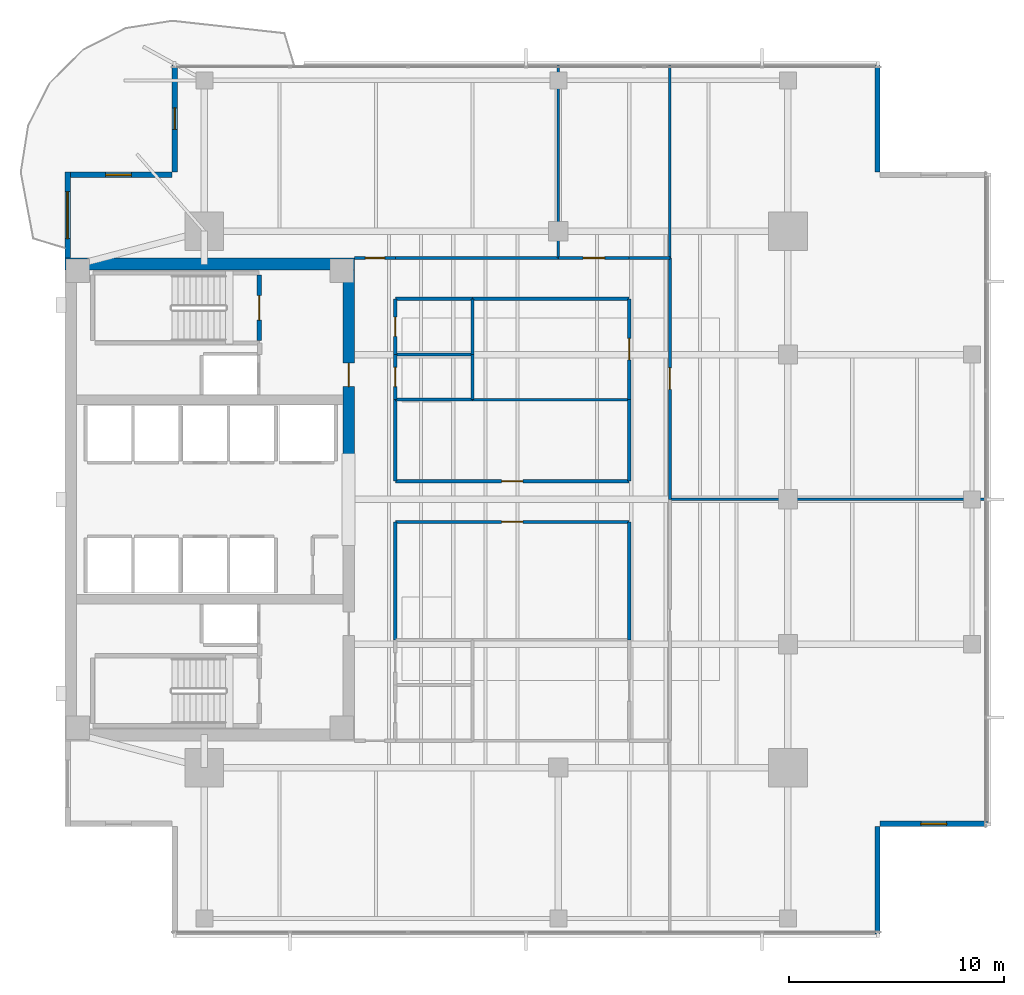
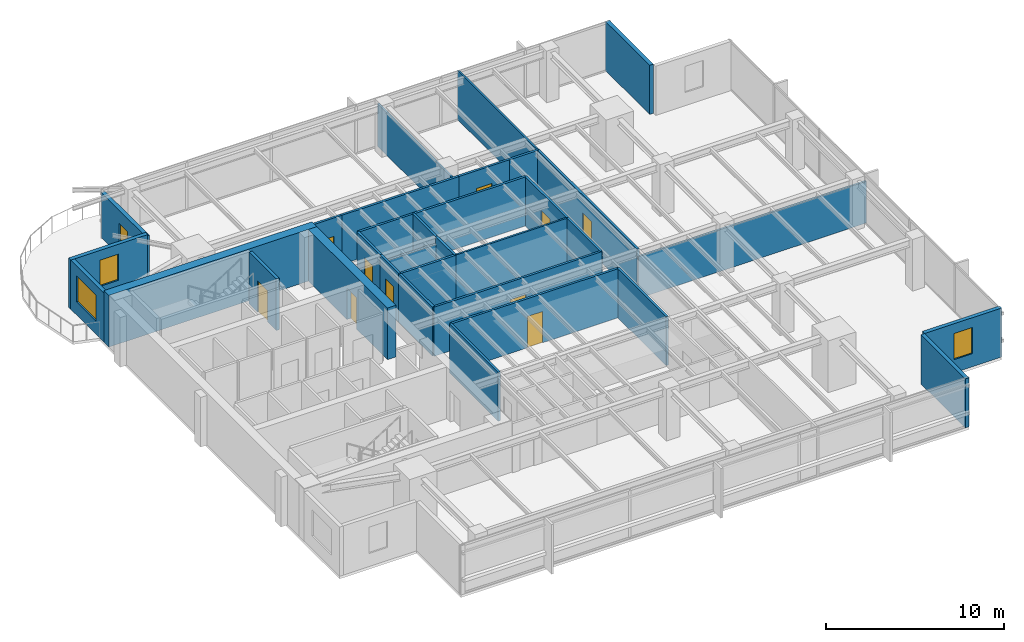
# One storey, part 9 of 14: 33 walls, 11 doors, 3 windows, 14 openings.
"""IFC4 building model written with IfcOpenShell, lengths in metres."""

from ifc_helpers import new_model, si_unit, direction, frame, frame_2d, origin, place, context, subcontext, project, spatial, rectangle, extrude, material, layer, layer_set, type_object, element, fill, save


model = new_model("IFC4")

# Units and contexts
model_context = context("Model", 3, precision=1e-05, world=origin(), true_north=direction((0.0, 1.0)))
body_context = subcontext(model_context, "Body", "Model", "MODEL_VIEW")
ifc_project = project(units=[si_unit("LENGTHUNIT", "METRE"), si_unit("AREAUNIT", "SQUARE_METRE"), si_unit("VOLUMEUNIT", "CUBIC_METRE"), si_unit("PLANEANGLEUNIT", "RADIAN"), si_unit("MASSUNIT", "GRAM", prefix="KILO")], contexts=[model_context])

# Site, building, storey
site_placement = place(None, origin())
site = spatial("IfcSite", under=ifc_project, at=site_placement, CompositionType="ELEMENT")
building_placement = place(site_placement, origin())
building = spatial("IfcBuilding", under=site, at=building_placement, Name="Kinhvarn Gate Tower", CompositionType="ELEMENT")
storey_placement = place(building_placement, frame((0.0, 0.0, 188.050048828125)))
storey = spatial("IfcBuildingStorey", under=building, at=storey_placement, Name="L49", CompositionType="ELEMENT", Elevation=188.050048828125)

# Wall
ifc_material_1 = material(Name="Concrete C60/75", Category="concrete")
ifc_layer_1 = layer(ifc_material_1, 0.550048828125)
ifc_layer_set_1 = layer_set([ifc_layer_1], Name="Concrete C60/75")
wall_type_1 = type_object("IfcWallType", Name="WL-CORE-550", PredefinedType="SHEAR", material=ifc_layer_set_1)
wall_1_placement = place(storey_placement, frame((4.5, 36.22509765625, 0.0), z_axis=(0.0, 0.0, 1.0), x_axis=(1.0, 0.0, 0.0)))
element("IfcWall", 1, at=wall_1_placement, inside=storey, type_object=wall_type_1, Name="Core North Shear Wall L49 550 mm", PredefinedType="SHEAR", context=body_context, shape_type="SweptSolid", body=[
    extrude(rectangle(XDim=13.5, YDim=0.550048828125, at=frame_2d((6.75, 0.0))), origin(), (0.0, 0.0, 1.0), 3.550048828125),
])

# Wall, opening, door
wall_2_placement = place(storey_placement, frame((17.72509765625, 27.050048828125, 0.0), z_axis=(0.0, 0.0, 1.0), x_axis=(0.0, 1.0, 0.0)))
wall_2 = element("IfcWall", 2, at=wall_2_placement, inside=storey, type_object=wall_type_1, Name="Core East-North Shear Pier L49 550 mm", PredefinedType="SHEAR", context=body_context, shape_type="SweptSolid", body=[
    extrude(rectangle(XDim=8.89990234375, YDim=0.550048828125, at=frame_2d((4.449951171875, 0.0))), origin(), (0.0, 0.0, 1.0), 3.550048828125),
])
opening_1_placement = place(wall_2_placement, frame((3.449951171875, 0.0, 0.0)))
opening_1 = element("IfcOpeningElement", 3, at=opening_1_placement, cuts=wall_2, Name="Opening FD-02", PredefinedType="OPENING", context=body_context, shape_type="SweptSolid", body=[
    extrude(rectangle(XDim=1.10009765625, YDim=2.14990234375, at=frame_2d((0.550048828125, 1.074951171875))), frame((0.0, 0.28515625, 0.0), z_axis=(0.0, -1.0, 0.0), x_axis=(1.0, 0.0, 0.0)), (0.0, 0.0, 1.0), 0.570068359375),
])
ifc_material_2 = material(Name="Anodised aluminium AW-6063", Category="aluminium")
door_type_1 = type_object("IfcDoorType", Name="DR-FD-1100", OperationType="NOTDEFINED", PredefinedType="DOOR", material=ifc_material_2)
door_1_placement = place(opening_1_placement, origin())
door_1 = element("IfcDoor", 4, at=door_1_placement, inside=storey, type_object=door_type_1, Name="Firefighting Lobby Core Door (L49)", OperationType="SINGLE_SWING_LEFT", OverallHeight=2.14990234375, OverallWidth=1.10009765625, PredefinedType="DOOR", context=body_context, shape_type="SweptSolid", body=[
    extrude(rectangle(XDim=1.10009765625, YDim=2.14990234375, at=frame_2d((0.550048828125, 1.074951171875))), frame((0.0, 0.02490234375, 0.0), z_axis=(0.0, -1.0, 0.0), x_axis=(1.0, 0.0, 0.0)), (0.0, 0.0, 1.0), 0.050048828125),
])
fill(opening_1, door_1)

# Wall, opening, window
ifc_material_3 = material(Name="Fired architectural terracotta", Category="masonry")
ifc_layer_2 = layer(ifc_material_3, 0.25)
ifc_layer_set_2 = layer_set([ifc_layer_2], Name="Fired architectural terracotta")
wall_type_2 = type_object("IfcWallType", Name="WL-EXT-250", PredefinedType="SOLIDWALL", material=ifc_layer_set_2)
wall_3_placement = place(storey_placement, frame((4.625, 40.5, 0.0), z_axis=(0.0, 0.0, 1.0), x_axis=(0.0, -1.0, 0.0)))
wall_3 = element("IfcWall", 5, at=wall_3_placement, inside=storey, type_object=wall_type_2, Name="Exterior Solidwall Wall EW-250 (L49 West-North)", PredefinedType="SOLIDWALL", context=body_context, shape_type="SweptSolid", body=[
    extrude(rectangle(XDim=4.0, YDim=0.25, at=frame_2d((2.0, 0.0))), origin(), (0.0, 0.0, 1.0), 3.369873046875),
])
opening_2_placement = place(wall_3_placement, frame((0.89990234375, 0.0, 0.89990234375)))
opening_2 = element("IfcOpeningElement", 6, at=opening_2_placement, cuts=wall_3, Name="Opening WN-01", PredefinedType="OPENING", context=body_context, shape_type="SweptSolid", body=[
    extrude(rectangle(XDim=2.199951171875, YDim=1.800048828125, at=frame_2d((1.10009765625, 0.89990234375))), frame((0.0, 0.135009765625, 0.0), z_axis=(0.0, -1.0, 0.0), x_axis=(1.0, 0.0, 0.0)), (0.0, 0.0, 1.0), 0.27001953125),
])
ifc_material_4 = material(Name="Clear low-e double glazing", Category="glass")
window_type_1 = type_object("IfcWindowType", Name="WIN-RIB-2200", PartitioningType="SINGLE_PANEL", PredefinedType="WINDOW", material=ifc_material_4)
window_1_placement = place(opening_2_placement, origin())
window_1 = element("IfcWindow", 7, at=window_1_placement, inside=storey, type_object=window_type_1, Name="West Flank Double-Glazed Ribbon Window 2200x1800 mm (L49)", OverallHeight=1.800048828125, OverallWidth=2.199951171875, PartitioningType="SINGLE_PANEL", PredefinedType="WINDOW", context=body_context, shape_type="SweptSolid", body=[
    extrude(rectangle(XDim=2.199951171875, YDim=1.800048828125, at=frame_2d((1.10009765625, 0.89990234375))), frame((0.0, 0.030029296875, 0.0), z_axis=(0.0, -1.0, 0.0), x_axis=(1.0, 0.0, 0.0)), (0.0, 0.0, 1.0), 0.06005859375),
])
fill(opening_2, window_1)

# Wall
wall_4_placement = place(storey_placement, frame((42.375, 5.0, 0.0), z_axis=(0.0, 0.0, 1.0), x_axis=(0.0, 1.0, 0.0)))
element("IfcWall", 8, at=wall_4_placement, inside=storey, type_object=wall_type_2, Name="Exterior Solidwall Wall EW-250 (L49 SE-Notch-1)", PredefinedType="SOLIDWALL", context=body_context, shape_type="SweptSolid", body=[
    extrude(rectangle(XDim=5.0, YDim=0.25, at=frame_2d((2.5, 0.0))), origin(), (0.0, 0.0, 1.0), 3.369873046875),
])

# Wall, opening, window
wall_5_placement = place(storey_placement, frame((42.5, 10.125, 0.0), z_axis=(0.0, 0.0, 1.0), x_axis=(1.0, 0.0, 0.0)))
wall_5 = element("IfcWall", 9, at=wall_5_placement, inside=storey, type_object=wall_type_2, Name="Exterior Solidwall Wall EW-250 (L49 SE-Notch-2)", PredefinedType="SOLIDWALL", context=body_context, shape_type="SweptSolid", body=[
    extrude(rectangle(XDim=5.0, YDim=0.25, at=frame_2d((2.5, 0.0))), origin(), (0.0, 0.0, 1.0), 3.369873046875),
])
opening_3_placement = place(wall_5_placement, frame((1.89990234375, 0.0, 0.89990234375)))
opening_3 = element("IfcOpeningElement", 10, at=opening_3_placement, cuts=wall_5, Name="Opening WN-02", PredefinedType="OPENING", context=body_context, shape_type="SweptSolid", body=[
    extrude(rectangle(XDim=1.199951171875, YDim=1.800048828125, at=frame_2d((0.60009765625, 0.89990234375))), frame((0.0, 0.135009765625, 0.0), z_axis=(0.0, -1.0, 0.0), x_axis=(1.0, 0.0, 0.0)), (0.0, 0.0, 1.0), 0.27001953125),
])
window_type_2 = type_object("IfcWindowType", Name="WIN-NTC-1200", PartitioningType="SINGLE_PANEL", PredefinedType="WINDOW", material=ifc_material_4)
window_2_placement = place(opening_3_placement, origin())
window_2 = element("IfcWindow", 11, at=window_2_placement, inside=storey, type_object=window_type_2, Name="Recessed Corner Notch Punched Window 1200x1800 mm (L49)", OverallHeight=1.800048828125, OverallWidth=1.199951171875, PartitioningType="SINGLE_PANEL", PredefinedType="WINDOW", context=body_context, shape_type="SweptSolid", body=[
    extrude(rectangle(XDim=1.199951171875, YDim=1.800048828125, at=frame_2d((0.60009765625, 0.89990234375))), frame((0.0, 0.030029296875, 0.0), z_axis=(0.0, -1.0, 0.0), x_axis=(1.0, 0.0, 0.0)), (0.0, 0.0, 1.0), 0.06005859375),
])
fill(opening_3, window_2)

# Wall
wall_6_placement = place(storey_placement, frame((42.375, 40.5, 0.0), z_axis=(0.0, 0.0, 1.0), x_axis=(0.0, 1.0, 0.0)))
element("IfcWall", 12, at=wall_6_placement, inside=storey, type_object=wall_type_2, Name="Exterior Solidwall Wall EW-250 (L49 NE-Notch-2)", PredefinedType="SOLIDWALL", context=body_context, shape_type="SweptSolid", body=[
    extrude(rectangle(XDim=5.0, YDim=0.25, at=frame_2d((2.5, 0.0))), origin(), (0.0, 0.0, 1.0), 3.369873046875),
])

# Wall, opening, door
wall_7_placement = place(storey_placement, frame((9.625, 45.5, 0.0), z_axis=(0.0, 0.0, 1.0), x_axis=(0.0, -1.0, 0.0)))
wall_7 = element("IfcWall", 13, at=wall_7_placement, inside=storey, type_object=wall_type_2, Name="Exterior Solidwall Wall EW-250 (L49 NW-Notch-Door)", PredefinedType="SOLIDWALL", context=body_context, shape_type="SweptSolid", body=[
    extrude(rectangle(XDim=5.0, YDim=0.25, at=frame_2d((2.5, 0.0))), origin(), (0.0, 0.0, 1.0), 3.099853515625),
])
opening_4_placement = place(wall_7_placement, frame((2.0, 0.0, 0.0)))
opening_4 = element("IfcOpeningElement", 14, at=opening_4_placement, cuts=wall_7, Name="Opening BD-01", PredefinedType="OPENING", context=body_context, shape_type="SweptSolid", body=[
    extrude(rectangle(XDim=1.0, YDim=2.199951171875, at=frame_2d((0.5, 1.10009765625))), frame((0.0, 0.135009765625, 0.0), z_axis=(0.0, -1.0, 0.0), x_axis=(1.0, 0.0, 0.0)), (0.0, 0.0, 1.0), 0.27001953125),
])
door_type_2 = type_object("IfcDoorType", Name="DR-BAL-1000", OperationType="NOTDEFINED", PredefinedType="DOOR", material=ifc_material_4)
door_2_placement = place(opening_4_placement, frame((1.0, 0.0, 0.0), z_axis=(0.0, 0.0, 1.0), x_axis=(-1.0, 0.0, 0.0)))
door_2 = element("IfcDoor", 15, at=door_2_placement, inside=storey, type_object=door_type_2, Name="S-Carve Balcony Door BD-01 (L49)", OperationType="SINGLE_SWING_RIGHT", OverallHeight=2.199951171875, OverallWidth=1.0, PredefinedType="DOOR", context=body_context, shape_type="SweptSolid", body=[
    extrude(rectangle(XDim=1.0, YDim=2.199951171875, at=frame_2d((0.5, 1.10009765625))), frame((0.0, 0.02490234375, 0.0), z_axis=(0.0, -1.0, 0.0), x_axis=(1.0, 0.0, 0.0)), (0.0, 0.0, 1.0), 0.050048828125),
])
fill(opening_4, door_2)

# Wall, opening, window
wall_8_placement = place(storey_placement, frame((9.5, 40.375, 0.0), z_axis=(0.0, 0.0, 1.0), x_axis=(-1.0, 0.0, 0.0)))
wall_8 = element("IfcWall", 16, at=wall_8_placement, inside=storey, type_object=wall_type_2, Name="Exterior Solidwall Wall EW-250 (L49 NW-Notch-Win)", PredefinedType="SOLIDWALL", context=body_context, shape_type="SweptSolid", body=[
    extrude(rectangle(XDim=5.0, YDim=0.25, at=frame_2d((2.5, 0.0))), origin(), (0.0, 0.0, 1.0), 3.369873046875),
])
opening_5_placement = place(wall_8_placement, frame((1.89990234375, 0.0, 0.89990234375)))
opening_5 = element("IfcOpeningElement", 17, at=opening_5_placement, cuts=wall_8, Name="Opening WN-02", PredefinedType="OPENING", context=body_context, shape_type="SweptSolid", body=[
    extrude(rectangle(XDim=1.199951171875, YDim=1.800048828125, at=frame_2d((0.60009765625, 0.89990234375))), frame((0.0, 0.135009765625, 0.0), z_axis=(0.0, -1.0, 0.0), x_axis=(1.0, 0.0, 0.0)), (0.0, 0.0, 1.0), 0.27001953125),
])
window_3_placement = place(opening_5_placement, origin())
window_3 = element("IfcWindow", 18, at=window_3_placement, inside=storey, type_object=window_type_2, Name="Recessed Corner Notch Punched Window 1200x1800 mm (L49)", OverallHeight=1.800048828125, OverallWidth=1.199951171875, PartitioningType="SINGLE_PANEL", PredefinedType="WINDOW", context=body_context, shape_type="SweptSolid", body=[
    extrude(rectangle(XDim=1.199951171875, YDim=1.800048828125, at=frame_2d((0.60009765625, 0.89990234375))), frame((0.0, 0.030029296875, 0.0), z_axis=(0.0, -1.0, 0.0), x_axis=(1.0, 0.0, 0.0)), (0.0, 0.0, 1.0), 0.06005859375),
])
fill(opening_5, window_3)

# Walls
ifc_material_5 = material(Name="Gypsum acoustic partition board")
ifc_layer_3 = layer(ifc_material_5, 0.14990234375)
ifc_layer_set_3 = layer_set([ifc_layer_3], Name="Gypsum acoustic partition board")
wall_type_3 = type_object("IfcWallType", Name="WL-PLM-150", PredefinedType="PLUMBINGWALL", material=ifc_layer_set_3)
wall_9_placement = place(storey_placement, frame((19.89990234375, 32.0, 0.0), z_axis=(0.0, 0.0, 1.0), x_axis=(1.0, 0.0, 0.0)))
element("IfcWall", 19, at=wall_9_placement, inside=storey, type_object=wall_type_3, Name="Interior Partition PLW-150 (L49)", PredefinedType="PLUMBINGWALL", context=body_context, shape_type="SweptSolid", body=[
    extrude(rectangle(XDim=3.60009765625, YDim=0.14990234375, at=frame_2d((1.800048828125, 0.0))), origin(), (0.0, 0.0, 1.0), 2.869873046875),
])
wall_10_placement = place(storey_placement, frame((23.5, 32.0, 0.0), z_axis=(0.0, 0.0, 1.0), x_axis=(0.0, 1.0, 0.0)))
element("IfcWall", 20, at=wall_10_placement, inside=storey, type_object=wall_type_3, Name="Interior Partition PLW-150 (L49)", PredefinedType="PLUMBINGWALL", context=body_context, shape_type="SweptSolid", body=[
    extrude(rectangle(XDim=2.60009765625, YDim=0.14990234375, at=frame_2d((1.300048828125, 0.0))), origin(), (0.0, 0.0, 1.0), 3.369873046875),
])
wall_11_placement = place(storey_placement, frame((23.5, 29.89990234375, 0.0), z_axis=(0.0, 0.0, 1.0), x_axis=(0.0, 1.0, 0.0)))
element("IfcWall", 21, at=wall_11_placement, inside=storey, type_object=wall_type_3, Name="Interior Partition PLW-150 (L49)", PredefinedType="PLUMBINGWALL", context=body_context, shape_type="SweptSolid", body=[
    extrude(rectangle(XDim=2.10009765625, YDim=0.14990234375, at=frame_2d((1.050048828125, 0.0))), origin(), (0.0, 0.0, 1.0), 3.369873046875),
])
wall_12_placement = place(storey_placement, frame((19.89990234375, 29.89990234375, 0.0), z_axis=(0.0, 0.0, 1.0), x_axis=(1.0, 0.0, 0.0)))
element("IfcWall", 22, at=wall_12_placement, inside=storey, type_object=wall_type_3, Name="Interior Partition PLW-150 (L49)", PredefinedType="PLUMBINGWALL", context=body_context, shape_type="SweptSolid", body=[
    extrude(rectangle(XDim=3.60009765625, YDim=0.14990234375, at=frame_2d((1.800048828125, 0.0))), origin(), (0.0, 0.0, 1.0), 3.369873046875),
])

# Wall, opening, door
ifc_layer_4 = layer(ifc_material_5, 0.14990234375)
ifc_layer_set_4 = layer_set([ifc_layer_4], Name="Gypsum acoustic partition board")
wall_type_4 = type_object("IfcWallType", Name="WL-PLM-150F", PredefinedType="PLUMBINGWALL", material=ifc_layer_set_4)
wall_13_placement = place(storey_placement, frame((19.89990234375, 32.0, 0.0), z_axis=(0.0, 0.0, 1.0), x_axis=(0.0, 1.0, 0.0)))
wall_13 = element("IfcWall", 23, at=wall_13_placement, inside=storey, type_object=wall_type_4, Name="Interior Partition PLW-150F (L49)", PredefinedType="PLUMBINGWALL", context=body_context, shape_type="SweptSolid", body=[
    extrude(rectangle(XDim=2.60009765625, YDim=0.14990234375, at=frame_2d((1.300048828125, 0.0))), origin(), (0.0, 0.0, 1.0), 3.369873046875),
])
opening_6_placement = place(wall_13_placement, frame((0.85009765625, 0.0, 0.0)))
opening_6 = element("IfcOpeningElement", 24, at=opening_6_placement, cuts=wall_13, Name="Opening FD-04", PredefinedType="OPENING", context=body_context, shape_type="SweptSolid", body=[
    extrude(rectangle(XDim=0.89990234375, YDim=2.10009765625, at=frame_2d((0.449951171875, 1.050048828125))), frame((0.0, 0.0849609375, 0.0), z_axis=(0.0, -1.0, 0.0), x_axis=(1.0, 0.0, 0.0)), (0.0, 0.0, 1.0), 0.169921875),
])
door_type_3 = type_object("IfcDoorType", Name="DR-FD-900", OperationType="NOTDEFINED", PredefinedType="DOOR", material=ifc_material_2)
door_3_placement = place(opening_6_placement, origin())
door_3 = element("IfcDoor", 25, at=door_3_placement, inside=storey, type_object=door_type_3, Name="Rated Riser & Service Closet Fire Door 900x2100 mm (L49)", OperationType="SINGLE_SWING_LEFT", OverallHeight=2.10009765625, OverallWidth=0.89990234375, PredefinedType="DOOR", context=body_context, shape_type="SweptSolid", body=[
    extrude(rectangle(XDim=0.89990234375, YDim=2.10009765625, at=frame_2d((0.449951171875, 1.050048828125))), frame((0.0, 0.02490234375, 0.0), z_axis=(0.0, -1.0, 0.0), x_axis=(1.0, 0.0, 0.0)), (0.0, 0.0, 1.0), 0.050048828125),
])
fill(opening_6, door_3)

wall_14_placement = place(storey_placement, frame((19.89990234375, 29.89990234375, 0.0), z_axis=(0.0, 0.0, 1.0), x_axis=(0.0, 1.0, 0.0)))
wall_14 = element("IfcWall", 26, at=wall_14_placement, inside=storey, type_object=wall_type_4, Name="Interior Partition PLW-150F (L49)", PredefinedType="PLUMBINGWALL", context=body_context, shape_type="SweptSolid", body=[
    extrude(rectangle(XDim=2.10009765625, YDim=0.14990234375, at=frame_2d((1.050048828125, 0.0))), origin(), (0.0, 0.0, 1.0), 3.369873046875),
])
opening_7_placement = place(wall_14_placement, frame((0.60009765625, 0.0, 0.0)))
opening_7 = element("IfcOpeningElement", 27, at=opening_7_placement, cuts=wall_14, Name="Opening FD-04", PredefinedType="OPENING", context=body_context, shape_type="SweptSolid", body=[
    extrude(rectangle(XDim=0.89990234375, YDim=2.10009765625, at=frame_2d((0.449951171875, 1.050048828125))), frame((0.0, 0.0849609375, 0.0), z_axis=(0.0, -1.0, 0.0), x_axis=(1.0, 0.0, 0.0)), (0.0, 0.0, 1.0), 0.169921875),
])
door_4_placement = place(opening_7_placement, origin())
door_4 = element("IfcDoor", 28, at=door_4_placement, inside=storey, type_object=door_type_3, Name="Rated Riser & Service Closet Fire Door 900x2100 mm (L49)", OperationType="SINGLE_SWING_LEFT", OverallHeight=2.10009765625, OverallWidth=0.89990234375, PredefinedType="DOOR", context=body_context, shape_type="SweptSolid", body=[
    extrude(rectangle(XDim=0.89990234375, YDim=2.10009765625, at=frame_2d((0.449951171875, 1.050048828125))), frame((0.0, 0.02490234375, 0.0), z_axis=(0.0, -1.0, 0.0), x_axis=(1.0, 0.0, 0.0)), (0.0, 0.0, 1.0), 0.050048828125),
])
fill(opening_7, door_4)

# Walls
wall_15_placement = place(storey_placement, frame((19.89990234375, 34.60009765625, 0.0), z_axis=(0.0, 0.0, 1.0), x_axis=(1.0, 0.0, 0.0)))
element("IfcWall", 29, at=wall_15_placement, inside=storey, type_object=wall_type_4, Name="Interior Partition PLW-150F (L49)", PredefinedType="PLUMBINGWALL", context=body_context, shape_type="SweptSolid", body=[
    extrude(rectangle(XDim=3.60009765625, YDim=0.14990234375, at=frame_2d((1.800048828125, 0.0))), origin(), (0.0, 0.0, 1.0), 3.369873046875),
])
ifc_layer_5 = layer(ifc_material_5, 0.1201171875)
ifc_layer_set_5 = layer_set([ifc_layer_5], Name="Gypsum acoustic partition board")
wall_type_5 = type_object("IfcWallType", Name="WL-PRT-120", PredefinedType="PARTITIONING", material=ifc_layer_set_5)
wall_16_placement = place(storey_placement, frame((23.5, 29.89990234375, 0.0), z_axis=(0.0, 0.0, 1.0), x_axis=(1.0, 0.0, 0.0)))
element("IfcWall", 30, at=wall_16_placement, inside=storey, type_object=wall_type_5, Name="Interior Partition PW-120 (L49)", PredefinedType="PARTITIONING", context=body_context, shape_type="SweptSolid", body=[
    extrude(rectangle(XDim=7.300048828125, YDim=0.1201171875, at=frame_2d((3.64990234375, 0.0))), origin(), (0.0, 0.0, 1.0), 3.369873046875),
])
wall_17_placement = place(storey_placement, frame((27.5, 36.5, 0.0), z_axis=(0.0, 0.0, 1.0), x_axis=(0.0, 1.0, 0.0)))
element("IfcWall", 31, at=wall_17_placement, inside=storey, type_object=wall_type_5, Name="Interior Partition PW-120 (L49)", PredefinedType="PARTITIONING", context=body_context, shape_type="SweptSolid", body=[
    extrude(rectangle(XDim=8.989990234375, YDim=0.1201171875, at=frame_2d((4.4951171875, 0.0))), origin(), (0.0, 0.0, 1.0), 2.919921875),
])
wall_18_placement = place(storey_placement, frame((32.699951171875, 36.5, 0.0), z_axis=(0.0, 0.0, 1.0), x_axis=(0.0, 1.0, 0.0)))
element("IfcWall", 32, at=wall_18_placement, inside=storey, type_object=wall_type_5, Name="Interior Partition PW-120 (L49)", PredefinedType="PARTITIONING", context=body_context, shape_type="SweptSolid", body=[
    extrude(rectangle(XDim=8.989990234375, YDim=0.1201171875, at=frame_2d((4.4951171875, 0.0))), origin(), (0.0, 0.0, 1.0), 3.369873046875),
])
wall_19_placement = place(storey_placement, frame((32.699951171875, 25.25, 0.0), z_axis=(0.0, 0.0, 1.0), x_axis=(1.0, 0.0, 0.0)))
element("IfcWall", 33, at=wall_19_placement, inside=storey, type_object=wall_type_5, Name="Interior Partition PW-120 (L49)", PredefinedType="PARTITIONING", context=body_context, shape_type="SweptSolid", body=[
    extrude(rectangle(XDim=14.7900390625, YDim=0.1201171875, at=frame_2d((7.39501953125, 0.0))), origin(), (0.0, 0.0, 1.0), 2.869873046875),
])
ifc_layer_6 = layer(ifc_material_5, 0.14990234375)
ifc_layer_set_6 = layer_set([ifc_layer_6], Name="Gypsum acoustic partition board")
wall_type_6 = type_object("IfcWallType", Name="WL-PRT-150F", PredefinedType="PARTITIONING", material=ifc_layer_set_6)
wall_20_placement = place(storey_placement, frame((19.89990234375, 18.699951171875, 0.0), z_axis=(0.0, 0.0, 1.0), x_axis=(0.0, 1.0, 0.0)))
element("IfcWall", 34, at=wall_20_placement, inside=storey, type_object=wall_type_6, Name="Interior Partition PW-150F (L49)", PredefinedType="PARTITIONING", context=body_context, shape_type="SweptSolid", body=[
    extrude(rectangle(XDim=5.5, YDim=0.14990234375, at=frame_2d((2.75, 0.0))), origin(), (0.0, 0.0, 1.0), 3.369873046875),
])
wall_21_placement = place(storey_placement, frame((19.89990234375, 26.10009765625, 0.0), z_axis=(0.0, 0.0, 1.0), x_axis=(0.0, 1.0, 0.0)))
element("IfcWall", 35, at=wall_21_placement, inside=storey, type_object=wall_type_6, Name="Interior Partition PW-150F (L49)", PredefinedType="PARTITIONING", context=body_context, shape_type="SweptSolid", body=[
    extrude(rectangle(XDim=3.7998046875, YDim=0.14990234375, at=frame_2d((1.89990234375, 0.0))), origin(), (0.0, 0.0, 1.0), 3.369873046875),
])

# Wall, opening, door
wall_22_placement = place(storey_placement, frame((18.0, 36.5, 0.0), z_axis=(0.0, 0.0, 1.0), x_axis=(1.0, 0.0, 0.0)))
wall_22 = element("IfcWall", 36, at=wall_22_placement, inside=storey, type_object=wall_type_6, Name="Interior Partition PW-150F (L49)", PredefinedType="PARTITIONING", context=body_context, shape_type="SweptSolid", body=[
    extrude(rectangle(XDim=1.89990234375, YDim=0.14990234375, at=frame_2d((0.949951171875, 0.0))), origin(), (0.0, 0.0, 1.0), 3.369873046875),
])
opening_8_placement = place(wall_22_placement, frame((0.5, 0.0, 0.0)))
opening_8 = element("IfcOpeningElement", 37, at=opening_8_placement, cuts=wall_22, Name="Opening ID-03", PredefinedType="OPENING", context=body_context, shape_type="SweptSolid", body=[
    extrude(rectangle(XDim=0.89990234375, YDim=2.10009765625, at=frame_2d((0.449951171875, 1.050048828125))), frame((0.0, 0.0849609375, 0.0), z_axis=(0.0, -1.0, 0.0), x_axis=(1.0, 0.0, 0.0)), (0.0, 0.0, 1.0), 0.169921875),
])
door_type_4 = type_object("IfcDoorType", Name="DR-INT-900", OperationType="NOTDEFINED", PredefinedType="DOOR", material=ifc_material_2)
door_5_placement = place(opening_8_placement, origin())
door_5 = element("IfcDoor", 38, at=door_5_placement, inside=storey, type_object=door_type_4, Name="Cellular Office & Restroom Door 900x2100 mm (L49)", OperationType="SINGLE_SWING_LEFT", OverallHeight=2.10009765625, OverallWidth=0.89990234375, PredefinedType="DOOR", context=body_context, shape_type="SweptSolid", body=[
    extrude(rectangle(XDim=0.89990234375, YDim=2.10009765625, at=frame_2d((0.449951171875, 1.050048828125))), frame((0.0, 0.02490234375, 0.0), z_axis=(0.0, -1.0, 0.0), x_axis=(1.0, 0.0, 0.0)), (0.0, 0.0, 1.0), 0.050048828125),
])
fill(opening_8, door_5)

wall_23_placement = place(storey_placement, frame((19.89990234375, 24.199951171875, 0.0), z_axis=(0.0, 0.0, 1.0), x_axis=(1.0, 0.0, 0.0)))
wall_23 = element("IfcWall", 39, at=wall_23_placement, inside=storey, type_object=wall_type_6, Name="Interior Partition PW-150F (L49)", PredefinedType="PARTITIONING", context=body_context, shape_type="SweptSolid", body=[
    extrude(rectangle(XDim=10.900146484375, YDim=0.14990234375, at=frame_2d((5.4501953125, 0.0))), origin(), (0.0, 0.0, 1.0), 3.369873046875),
])
opening_9_placement = place(wall_23_placement, frame((4.949951171875, 0.0, 0.0)))
opening_9 = element("IfcOpeningElement", 40, at=opening_9_placement, cuts=wall_23, Name="Opening ID-02", PredefinedType="OPENING", context=body_context, shape_type="SweptSolid", body=[
    extrude(rectangle(XDim=1.0, YDim=2.14990234375, at=frame_2d((0.5, 1.074951171875))), frame((0.0, 0.0849609375, 0.0), z_axis=(0.0, -1.0, 0.0), x_axis=(1.0, 0.0, 0.0)), (0.0, 0.0, 1.0), 0.169921875),
])
door_type_5 = type_object("IfcDoorType", Name="DR-INT-1000", OperationType="NOTDEFINED", PredefinedType="DOOR", material=ifc_material_2)
door_6_placement = place(opening_9_placement, origin())
door_6 = element("IfcDoor", 41, at=door_6_placement, inside=storey, type_object=door_type_5, Name="Standard Office & Meeting Room Door 1000x2150 mm (L49)", OperationType="SINGLE_SWING_RIGHT", OverallHeight=2.14990234375, OverallWidth=1.0, PredefinedType="DOOR", context=body_context, shape_type="SweptSolid", body=[
    extrude(rectangle(XDim=1.0, YDim=2.14990234375, at=frame_2d((0.5, 1.074951171875))), frame((0.0, 0.02490234375, 0.0), z_axis=(0.0, -1.0, 0.0), x_axis=(1.0, 0.0, 0.0)), (0.0, 0.0, 1.0), 0.050048828125),
])
fill(opening_9, door_6)

wall_24_placement = place(storey_placement, frame((19.89990234375, 26.10009765625, 0.0), z_axis=(0.0, 0.0, 1.0), x_axis=(1.0, 0.0, 0.0)))
wall_24 = element("IfcWall", 42, at=wall_24_placement, inside=storey, type_object=wall_type_6, Name="Interior Partition PW-150F (L49)", PredefinedType="PARTITIONING", context=body_context, shape_type="SweptSolid", body=[
    extrude(rectangle(XDim=10.900146484375, YDim=0.14990234375, at=frame_2d((5.4501953125, 0.0))), origin(), (0.0, 0.0, 1.0), 3.369873046875),
])
opening_10_placement = place(wall_24_placement, frame((4.949951171875, 0.0, 0.0)))
opening_10 = element("IfcOpeningElement", 43, at=opening_10_placement, cuts=wall_24, Name="Opening ID-02", PredefinedType="OPENING", context=body_context, shape_type="SweptSolid", body=[
    extrude(rectangle(XDim=1.0, YDim=2.14990234375, at=frame_2d((0.5, 1.074951171875))), frame((0.0, 0.0849609375, 0.0), z_axis=(0.0, -1.0, 0.0), x_axis=(1.0, 0.0, 0.0)), (0.0, 0.0, 1.0), 0.169921875),
])
door_7_placement = place(opening_10_placement, origin())
door_7 = element("IfcDoor", 44, at=door_7_placement, inside=storey, type_object=door_type_5, Name="Standard Office & Meeting Room Door 1000x2150 mm (L49)", OperationType="SINGLE_SWING_LEFT", OverallHeight=2.14990234375, OverallWidth=1.0, PredefinedType="DOOR", context=body_context, shape_type="SweptSolid", body=[
    extrude(rectangle(XDim=1.0, YDim=2.14990234375, at=frame_2d((0.5, 1.074951171875))), frame((0.0, 0.02490234375, 0.0), z_axis=(0.0, -1.0, 0.0), x_axis=(1.0, 0.0, 0.0)), (0.0, 0.0, 1.0), 0.050048828125),
])
fill(opening_10, door_7)

wall_25_placement = place(storey_placement, frame((30.800048828125, 29.89990234375, 0.0), z_axis=(0.0, 0.0, 1.0), x_axis=(0.0, 1.0, 0.0)))
wall_25 = element("IfcWall", 45, at=wall_25_placement, inside=storey, type_object=wall_type_6, Name="Interior Partition PW-150F (L49)", PredefinedType="PARTITIONING", context=body_context, shape_type="SweptSolid", body=[
    extrude(rectangle(XDim=4.7001953125, YDim=0.14990234375, at=frame_2d((2.35009765625, 0.0))), origin(), (0.0, 0.0, 1.0), 3.369873046875),
])
opening_11_placement = place(wall_25_placement, frame((1.85009765625, 0.0, 0.0)))
opening_11 = element("IfcOpeningElement", 46, at=opening_11_placement, cuts=wall_25, Name="Opening ID-02", PredefinedType="OPENING", context=body_context, shape_type="SweptSolid", body=[
    extrude(rectangle(XDim=1.0, YDim=2.14990234375, at=frame_2d((0.5, 1.074951171875))), frame((0.0, 0.0849609375, 0.0), z_axis=(0.0, -1.0, 0.0), x_axis=(1.0, 0.0, 0.0)), (0.0, 0.0, 1.0), 0.169921875),
])
door_8_placement = place(opening_11_placement, origin())
door_8 = element("IfcDoor", 47, at=door_8_placement, inside=storey, type_object=door_type_5, Name="Standard Office & Meeting Room Door 1000x2150 mm (L49)", OperationType="SINGLE_SWING_LEFT", OverallHeight=2.14990234375, OverallWidth=1.0, PredefinedType="DOOR", context=body_context, shape_type="SweptSolid", body=[
    extrude(rectangle(XDim=1.0, YDim=2.14990234375, at=frame_2d((0.5, 1.074951171875))), frame((0.0, 0.02490234375, 0.0), z_axis=(0.0, -1.0, 0.0), x_axis=(1.0, 0.0, 0.0)), (0.0, 0.0, 1.0), 0.050048828125),
])
fill(opening_11, door_8)

# Walls
wall_26_placement = place(storey_placement, frame((30.800048828125, 18.699951171875, 0.0), z_axis=(0.0, 0.0, 1.0), x_axis=(0.0, 1.0, 0.0)))
element("IfcWall", 48, at=wall_26_placement, inside=storey, type_object=wall_type_6, Name="Interior Partition PW-150F (L49)", PredefinedType="PARTITIONING", context=body_context, shape_type="SweptSolid", body=[
    extrude(rectangle(XDim=5.5, YDim=0.14990234375, at=frame_2d((2.75, 0.0))), origin(), (0.0, 0.0, 1.0), 3.369873046875),
])
wall_27_placement = place(storey_placement, frame((30.800048828125, 26.10009765625, 0.0), z_axis=(0.0, 0.0, 1.0), x_axis=(0.0, 1.0, 0.0)))
element("IfcWall", 49, at=wall_27_placement, inside=storey, type_object=wall_type_6, Name="Interior Partition PW-150F (L49)", PredefinedType="PARTITIONING", context=body_context, shape_type="SweptSolid", body=[
    extrude(rectangle(XDim=3.7998046875, YDim=0.14990234375, at=frame_2d((1.89990234375, 0.0))), origin(), (0.0, 0.0, 1.0), 3.369873046875),
])
wall_28_placement = place(storey_placement, frame((30.800048828125, 36.5, 0.0), z_axis=(0.0, 0.0, 1.0), x_axis=(1.0, 0.0, 0.0)))
element("IfcWall", 50, at=wall_28_placement, inside=storey, type_object=wall_type_6, Name="Interior Partition PW-150F (L49)", PredefinedType="PARTITIONING", context=body_context, shape_type="SweptSolid", body=[
    extrude(rectangle(XDim=1.89990234375, YDim=0.14990234375, at=frame_2d((0.949951171875, 0.0))), origin(), (0.0, 0.0, 1.0), 3.369873046875),
])

# Wall, opening, door
wall_29_placement = place(storey_placement, frame((32.699951171875, 25.25, 0.0), z_axis=(0.0, 0.0, 1.0), x_axis=(0.0, 1.0, 0.0)))
wall_29 = element("IfcWall", 51, at=wall_29_placement, inside=storey, type_object=wall_type_6, Name="Interior Partition PW-150F (L49)", PredefinedType="PARTITIONING", context=body_context, shape_type="SweptSolid", body=[
    extrude(rectangle(XDim=11.25, YDim=0.14990234375, at=frame_2d((5.625, 0.0))), origin(), (0.0, 0.0, 1.0), 3.369873046875),
])
opening_12_placement = place(wall_29_placement, frame((5.125, 0.0, 0.0)))
opening_12 = element("IfcOpeningElement", 52, at=opening_12_placement, cuts=wall_29, Name="Opening ID-02", PredefinedType="OPENING", context=body_context, shape_type="SweptSolid", body=[
    extrude(rectangle(XDim=1.0, YDim=2.14990234375, at=frame_2d((0.5, 1.074951171875))), frame((0.0, 0.0849609375, 0.0), z_axis=(0.0, -1.0, 0.0), x_axis=(1.0, 0.0, 0.0)), (0.0, 0.0, 1.0), 0.169921875),
])
door_9_placement = place(opening_12_placement, origin())
door_9 = element("IfcDoor", 53, at=door_9_placement, inside=storey, type_object=door_type_5, Name="Standard Office & Meeting Room Door 1000x2150 mm (L49)", OperationType="SINGLE_SWING_LEFT", OverallHeight=2.14990234375, OverallWidth=1.0, PredefinedType="DOOR", context=body_context, shape_type="SweptSolid", body=[
    extrude(rectangle(XDim=1.0, YDim=2.14990234375, at=frame_2d((0.5, 1.074951171875))), frame((0.0, 0.02490234375, 0.0), z_axis=(0.0, -1.0, 0.0), x_axis=(1.0, 0.0, 0.0)), (0.0, 0.0, 1.0), 0.050048828125),
])
fill(opening_12, door_9)

# Walls
wall_30_placement = place(storey_placement, frame((23.5, 34.60009765625, 0.0), z_axis=(0.0, 0.0, 1.0), x_axis=(1.0, 0.0, 0.0)))
element("IfcWall", 54, at=wall_30_placement, inside=storey, type_object=wall_type_6, Name="Interior Partition PW-150F (L49)", PredefinedType="PARTITIONING", context=body_context, shape_type="SweptSolid", body=[
    extrude(rectangle(XDim=7.300048828125, YDim=0.14990234375, at=frame_2d((3.64990234375, 0.0))), origin(), (0.0, 0.0, 1.0), 3.369873046875),
])
wall_31_placement = place(storey_placement, frame((19.89990234375, 36.5, 0.0), z_axis=(0.0, 0.0, 1.0), x_axis=(1.0, 0.0, 0.0)))
element("IfcWall", 55, at=wall_31_placement, inside=storey, type_object=wall_type_6, Name="Interior Partition PW-150F (L49)", PredefinedType="PARTITIONING", context=body_context, shape_type="SweptSolid", body=[
    extrude(rectangle(XDim=7.60009765625, YDim=0.14990234375, at=frame_2d((3.800048828125, 0.0))), origin(), (0.0, 0.0, 1.0), 3.369873046875),
])

# Wall, opening, door
wall_32_placement = place(storey_placement, frame((27.5, 36.5, 0.0), z_axis=(0.0, 0.0, 1.0), x_axis=(1.0, 0.0, 0.0)))
wall_32 = element("IfcWall", 56, at=wall_32_placement, inside=storey, type_object=wall_type_6, Name="Interior Partition PW-150F (L49)", PredefinedType="PARTITIONING", context=body_context, shape_type="SweptSolid", body=[
    extrude(rectangle(XDim=3.300048828125, YDim=0.14990234375, at=frame_2d((1.64990234375, 0.0))), origin(), (0.0, 0.0, 1.0), 3.369873046875),
])
opening_13_placement = place(wall_32_placement, frame((1.14990234375, 0.0, 0.0)))
opening_13 = element("IfcOpeningElement", 57, at=opening_13_placement, cuts=wall_32, Name="Opening ID-02", PredefinedType="OPENING", context=body_context, shape_type="SweptSolid", body=[
    extrude(rectangle(XDim=1.0, YDim=2.14990234375, at=frame_2d((0.5, 1.074951171875))), frame((0.0, 0.0849609375, 0.0), z_axis=(0.0, -1.0, 0.0), x_axis=(1.0, 0.0, 0.0)), (0.0, 0.0, 1.0), 0.169921875),
])
door_10_placement = place(opening_13_placement, origin())
door_10 = element("IfcDoor", 58, at=door_10_placement, inside=storey, type_object=door_type_5, Name="Standard Office & Meeting Room Door 1000x2150 mm (L49)", OperationType="SINGLE_SWING_RIGHT", OverallHeight=2.14990234375, OverallWidth=1.0, PredefinedType="DOOR", context=body_context, shape_type="SweptSolid", body=[
    extrude(rectangle(XDim=1.0, YDim=2.14990234375, at=frame_2d((0.5, 1.074951171875))), frame((0.0, 0.02490234375, 0.0), z_axis=(0.0, -1.0, 0.0), x_axis=(1.0, 0.0, 0.0)), (0.0, 0.0, 1.0), 0.050048828125),
])
fill(opening_13, door_10)

ifc_material_6 = material(Name="Concrete C40/50", Category="concrete")
ifc_layer_7 = layer(ifc_material_6, 0.199951171875)
ifc_layer_set_7 = layer_set([ifc_layer_7], Name="Concrete C40/50")
wall_type_7 = type_object("IfcWallType", Name="WL-SHF-200", PredefinedType="SOLIDWALL", material=ifc_layer_set_7)
wall_33_placement = place(storey_placement, frame((13.56005859375, 32.64990234375, 0.0), z_axis=(0.0, 0.0, 1.0), x_axis=(0.0, 1.0, 0.0)))
wall_33 = element("IfcWall", 59, at=wall_33_placement, inside=storey, type_object=wall_type_7, Name="Stair ST2 East Entry Wall (L49)", PredefinedType="SOLIDWALL", context=body_context, shape_type="SweptSolid", body=[
    extrude(rectangle(XDim=3.050048828125, YDim=0.199951171875, at=frame_2d((1.52490234375, 0.0))), origin(), (0.0, 0.0, 1.0), 3.550048828125),
])
opening_14_placement = place(wall_33_placement, frame((0.949951171875, 0.0, 0.0)))
opening_14 = element("IfcOpeningElement", 60, at=opening_14_placement, cuts=wall_33, Name="Opening FD-01", PredefinedType="OPENING", context=body_context, shape_type="SweptSolid", body=[
    extrude(rectangle(XDim=1.14990234375, YDim=2.14990234375, at=frame_2d((0.574951171875, 1.074951171875))), frame((0.0, 0.10986328125, 0.0), z_axis=(0.0, -1.0, 0.0), x_axis=(1.0, 0.0, 0.0)), (0.0, 0.0, 1.0), 0.219970703125),
])
door_type_6 = type_object("IfcDoorType", Name="DR-ST-1150", OperationType="NOTDEFINED", PredefinedType="DOOR", material=ifc_material_2)
door_11_placement = place(opening_14_placement, origin())
door_11 = element("IfcDoor", 61, at=door_11_placement, inside=storey, type_object=door_type_6, Name="Exit Stair ST2 Fire Door (L49)", OperationType="SINGLE_SWING_RIGHT", OverallHeight=2.14990234375, OverallWidth=1.14990234375, PredefinedType="DOOR", context=body_context, shape_type="SweptSolid", body=[
    extrude(rectangle(XDim=1.14990234375, YDim=2.14990234375, at=frame_2d((0.574951171875, 1.074951171875))), frame((0.0, 0.02490234375, 0.0), z_axis=(0.0, -1.0, 0.0), x_axis=(1.0, 0.0, 0.0)), (0.0, 0.0, 1.0), 0.050048828125),
])
fill(opening_14, door_11)

save(model, "model.ifc")
